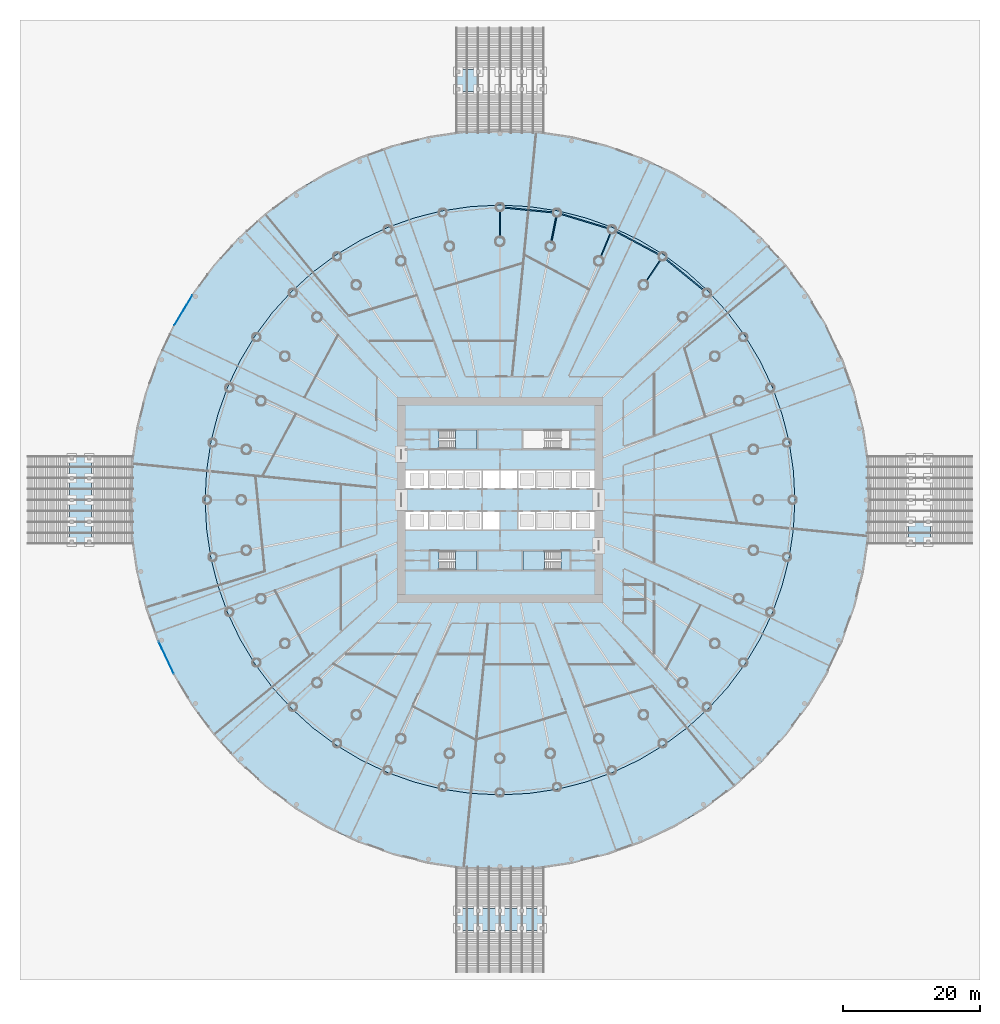
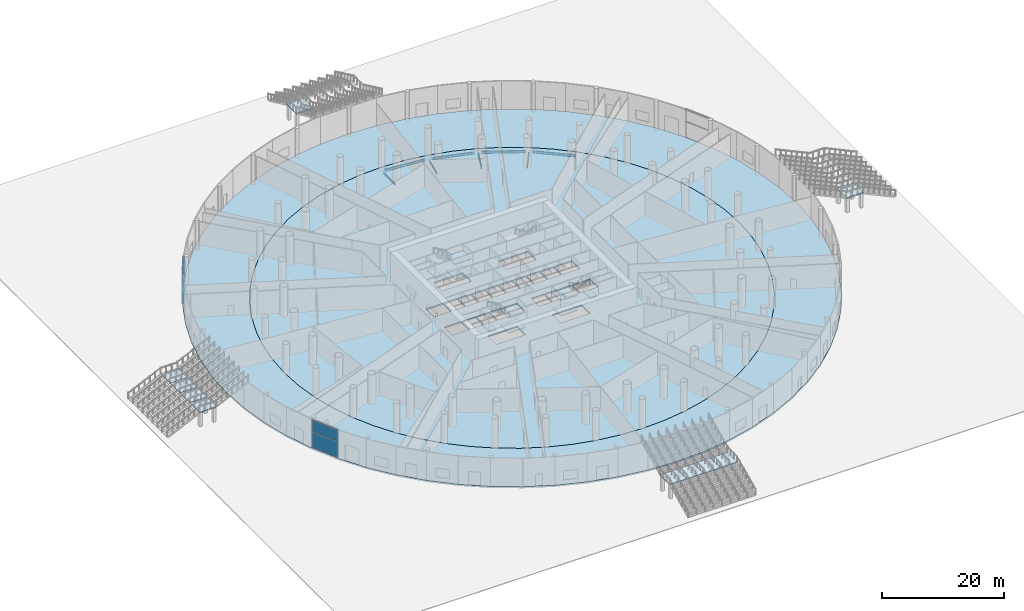
# One storey, part 11 of 33: 21 slabs, 8 beams, 4 plates, 15 elements without a shape of their own.
"""IFC4 building model written with IfcOpenShell, lengths in metres."""

import ifcopenshell
import ifcopenshell.guid

model = None  # the IFC model being written
_history = None  # IfcOwnerHistory: only IFC2X3 demands one
_inside = {}  # id of a spatial element -> (the spatial element, [elements in it])
_under = {}  # id of a project, library or spatial element -> (it, [spatial elements below it])
_declared = {}  # id of a project -> (the project, [libraries it declares])
_typed = {}  # id of a type object -> (the type object, [elements of that type])
_made_of = {}  # id of a material, layer set ... -> (it, [elements and type objects made of it])


def new_model(schema):
    """Start an empty IFC model of exactly this schema.

    Asked for "IFC4X3", IfcOpenShell would pick the latest addendum, in which some entities
    have other attributes; the version numbers below select the first issue.
    IFC2X3 requires an IfcOwnerHistory on every rooted entity: one is made here for all.
    """
    global model, _history
    if schema == "IFC4X3":
        model = ifcopenshell.file(schema_version=(4, 3, 0, 0))
    else:
        model = ifcopenshell.file(schema=schema)
    _inside.clear()
    _under.clear()
    _declared.clear()
    _typed.clear()
    _made_of.clear()
    _history = None
    if model.schema == "IFC2X3":
        org = make("IfcOrganization", Name="unknown")
        user = make(
            "IfcPersonAndOrganization",
            ThePerson=make("IfcPerson", FamilyName="unknown"),
            TheOrganization=org,
        )
        app = make(
            "IfcApplication",
            ApplicationDeveloper=org,
            Version="unknown",
            ApplicationFullName="unknown",
            ApplicationIdentifier="unknown",
        )
        _history = make(
            "IfcOwnerHistory",
            OwningUser=user,
            OwningApplication=app,
            ChangeAction="ADDED",
            CreationDate=0,
        )
    return model


def make(cls, **values):
    """One entity of the class cls with the attributes given. An attribute that is None is left unset."""
    return model.create_entity(
        cls, **{name: value for name, value in values.items() if value is not None}
    )


def rooted(cls, **values):
    """An entity with a GlobalId (a new one), such as an element, a storey or a relation."""
    return make(cls, GlobalId=ifcopenshell.guid.new(), OwnerHistory=_history, **values)


def si_unit(unit_type, name, prefix=None):
    """IfcSIUnit, for example si_unit("LENGTHUNIT", "METRE", prefix="MILLI")."""
    return make("IfcSIUnit", UnitType=unit_type, Prefix=prefix, Name=name)


def assignment(units):
    """IfcUnitAssignment: the units of a project."""
    return None if units is None else make("IfcUnitAssignment", Units=units)


def point(xyz):
    """IfcCartesianPoint."""
    return None if xyz is None else make("IfcCartesianPoint", Coordinates=xyz)


def direction(xyz):
    """IfcDirection."""
    return None if xyz is None else make("IfcDirection", DirectionRatios=xyz)


def frame(location, z_axis=None, x_axis=None):
    """IfcAxis2Placement3D, a coordinate frame: its origin and axes. An axis left out is left unset."""
    return make(
        "IfcAxis2Placement3D",
        Location=point(location),
        Axis=direction(z_axis),
        RefDirection=direction(x_axis),
    )


def frame_2d(location, x_axis=None):
    """IfcAxis2Placement2D, a coordinate frame in the plane: its origin and x axis."""
    return make(
        "IfcAxis2Placement2D", Location=point(location), RefDirection=direction(x_axis)
    )


def origin():
    """The frame at (0, 0, 0) with its axes left unset."""
    return frame((0.0, 0.0, 0.0))


def origin_2d():
    """The frame at (0, 0) in the plane with its x axis left unset."""
    return frame_2d((0.0, 0.0))


def place(relative_to, where):
    """IfcLocalPlacement: puts the frame where relative to a parent placement (None: the world)."""
    return make(
        "IfcLocalPlacement", PlacementRelTo=relative_to, RelativePlacement=where
    )


def context(
    kind, dimensions, precision=None, world=None, true_north=None, identifier=None
):
    """IfcGeometricRepresentationContext, for example the 3D "Model" context."""
    return make(
        "IfcGeometricRepresentationContext",
        ContextIdentifier=identifier,
        ContextType=kind,
        CoordinateSpaceDimension=dimensions,
        Precision=precision,
        WorldCoordinateSystem=world,
        TrueNorth=true_north,
    )


def subcontext(parent, identifier, kind, view, scale=None):
    """IfcGeometricRepresentationSubContext, for example "Body" below "Model"."""
    return make(
        "IfcGeometricRepresentationSubContext",
        ContextIdentifier=identifier,
        ContextType=kind,
        ParentContext=parent,
        TargetScale=scale,
        TargetView=view,
    )


def project(units=None, contexts=None):
    """IfcProject with its units and contexts."""
    return rooted(
        "IfcProject",
        Name="project",
        RepresentationContexts=contexts,
        UnitsInContext=assignment(units),
    )


def spatial(cls, under=None, at=None, **own):
    """A site, building, storey or space (cls), placed at a placement, below another one or the project."""
    s = rooted(cls, ObjectPlacement=at, **own)
    if under is not None:
        _under.setdefault(under.id(), (under, []))[1].append(s)
    return s


def polyline(points):
    """IfcPolyline through the points."""
    return make("IfcPolyline", Points=[point(p) for p in points])


def profile(cls, at=None, kind="AREA", **sizes):
    """A parametric profile (cls). Its sizes go by their IFC names, for example OverallWidth=200.0."""
    return make(cls, ProfileType=kind, Position=at, **sizes)


def rectangle(**sizes):
    """IfcRectangleProfileDef."""
    return profile("IfcRectangleProfileDef", **sizes)


def i_section(**sizes):
    """IfcIShapeProfileDef."""
    return profile("IfcIShapeProfileDef", **sizes)


def outline(outer, holes=None, kind="AREA"):
    """IfcArbitraryClosedProfileDef: a profile drawn as a closed curve; with holes, ...WithVoids."""
    if holes is None:
        return make("IfcArbitraryClosedProfileDef", ProfileType=kind, OuterCurve=outer)
    return make(
        "IfcArbitraryProfileDefWithVoids",
        ProfileType=kind,
        OuterCurve=outer,
        InnerCurves=holes,
    )


def extrude(swept, where, along, depth):
    """IfcExtrudedAreaSolid: the profile swept, set in the frame where, extruded along a direction by depth."""
    return make(
        "IfcExtrudedAreaSolid",
        SweptArea=swept,
        Position=where,
        ExtrudedDirection=direction(along),
        Depth=depth,
    )


def shape(context_of_items, identifier, shape_type, items):
    """IfcShapeRepresentation: the items that make up one representation, for example the "Body"."""
    return make(
        "IfcShapeRepresentation",
        ContextOfItems=context_of_items,
        RepresentationIdentifier=identifier,
        RepresentationType=shape_type,
        Items=items,
    )


def material(Name=None, Category=None):
    """IfcMaterial."""
    return make("IfcMaterial", Name=Name, Category=Category)


def layer(
    of_material, thickness, ventilated=None, Name=None, Category=None, Priority=None
):
    """IfcMaterialLayer: one layer of a wall or slab, of a material (None: an air gap)."""
    return make(
        "IfcMaterialLayer",
        Material=of_material,
        LayerThickness=thickness,
        IsVentilated=ventilated,
        Name=Name,
        Category=Category,
        Priority=Priority,
    )


def layer_set(layers, Name=None):
    """IfcMaterialLayerSet."""
    return make("IfcMaterialLayerSet", MaterialLayers=layers, LayerSetName=Name)


def material_profile(
    of_material, cross_section, Name=None, Category=None, Priority=None
):
    """IfcMaterialProfile: a cross section and its material."""
    return make(
        "IfcMaterialProfile",
        Name=Name,
        Material=of_material,
        Profile=cross_section,
        Priority=Priority,
        Category=Category,
    )


def profile_set(profiles, Name=None, composite=None):
    """IfcMaterialProfileSet."""
    return make(
        "IfcMaterialProfileSet",
        Name=Name,
        MaterialProfiles=profiles,
        CompositeProfile=composite,
    )


def made_of(thing, what):
    """Note that an element or type object is made of a material, layer set ...; save() writes the relation."""
    if what is not None:
        _made_of.setdefault(what.id(), (what, []))[1].append(thing)
    return thing


def type_object(cls, material=None, **own):
    """A type object (cls), such as IfcWallType, which elements share."""
    return made_of(rooted(cls, **own), material)


def element(
    cls,
    number,
    at=None,
    inside=None,
    cuts=None,
    type_object=None,
    material=None,
    context=None,
    identifier="Body",
    shape_type=None,
    held_by="IfcProductDefinitionShape",
    body=None,
    shapes=None,
    **own,
):
    """One element of the class cls, such as IfcWall. Its Tag is "e" and its number.

    at: its placement. inside: the storey or other place that contains it. cuts: it is an
    opening in that element (IfcRelVoidsElement). A single representation is given by context,
    identifier, shape_type and body (its items); several are given by shapes. held_by: the class
    of the entity that holds the representations. save() writes the other relations.
    """
    e = rooted(cls, Tag="e%d" % number, ObjectPlacement=at, **own)
    if body is not None:
        shapes = [shape(context, identifier, shape_type, body)]
    if shapes is not None:
        e.Representation = make(held_by, Representations=shapes)
    if inside is not None:
        _inside.setdefault(inside.id(), (inside, []))[1].append(e)
    if cuts is not None:
        rooted(
            "IfcRelVoidsElement", RelatingBuildingElement=cuts, RelatedOpeningElement=e
        )
    if type_object is not None:
        _typed.setdefault(type_object.id(), (type_object, []))[1].append(e)
    return made_of(e, material)


def aggregate(whole, parts):
    """IfcRelAggregates: a whole, such as a stair, and the parts it consists of."""
    return rooted("IfcRelAggregates", RelatingObject=whole, RelatedObjects=parts)


def save(model, path):
    """Write the relations noted so far, then the file.

    IfcRelAggregates (storeys below a building ...), IfcRelContainedInSpatialStructure (elements
    in a storey), IfcRelDefinesByType, IfcRelAssociatesMaterial and IfcRelDeclares: one each for
    every whole, place, type object, material and project.
    """
    for whole, parts in _under.values():
        aggregate(whole, parts)
    for where, things in _inside.values():
        rooted(
            "IfcRelContainedInSpatialStructure",
            RelatedElements=things,
            RelatingStructure=where,
        )
    for kind, things in _typed.values():
        rooted("IfcRelDefinesByType", RelatedObjects=things, RelatingType=kind)
    for what, things in _made_of.values():
        rooted("IfcRelAssociatesMaterial", RelatedObjects=things, RelatingMaterial=what)
    for by, libraries in _declared.values():
        rooted("IfcRelDeclares", RelatingContext=by, RelatedDefinitions=libraries)
    model.write(path)


model = new_model("IFC4")

# Units and contexts
model_context = context("Model", 3, precision=1e-05, world=origin(), true_north=direction((0.0, 1.0)))
body_context = subcontext(model_context, "Body", "Model", "MODEL_VIEW")
ifc_project = project(units=[si_unit("LENGTHUNIT", "METRE"), si_unit("AREAUNIT", "SQUARE_METRE"), si_unit("VOLUMEUNIT", "CUBIC_METRE"), si_unit("PLANEANGLEUNIT", "RADIAN"), si_unit("MASSUNIT", "GRAM", prefix="KILO")], contexts=[model_context])

# Site, building, storey
site_placement = place(None, origin())
site = spatial("IfcSite", under=ifc_project, at=site_placement, CompositionType="ELEMENT")
building_placement = place(site_placement, origin())
building = spatial("IfcBuilding", under=site, at=building_placement, Name="Corvane Civic Tower", CompositionType="ELEMENT")
storey_placement = place(building_placement, origin())
storey = spatial("IfcBuildingStorey", under=building, at=storey_placement, Name="G", CompositionType="ELEMENT", Elevation=0.0)

# Beams
ifc_material_1 = material(Name="Steel ASTM A992 Gr 50", Category="steel")
ifc_material_profile_1 = material_profile(ifc_material_1, i_section(OverallWidth=0.165771484375, OverallDepth=0.5283203125, WebThickness=0.009765625, FlangeThickness=0.013671875, at=origin_2d()), Name="W21X50")
ifc_profile_set_1 = profile_set([ifc_material_profile_1], Name="Steel ASTM A992 Gr 50")
beam_type_1 = type_object("IfcBeamType", Name="EDGE BEAM W21X50", PredefinedType="BEAM", material=ifc_profile_set_1)
for number, where, z_axis, x_axis, name in (
    (1, (0.54736328125, 42.64599609375, -0.564208984375), (0.995187967953, -0.097984225478, 0.0), (0.097984225478, 0.995187967953, 0.0), "BM-G-E01"),
    (2, (8.856689453125, 41.719970703125, -0.564208984375), (0.956938225664, -0.290291633127, 0.0), (0.290291633127, 0.956938225664, 0.0), "BM-G-E02"),
):
    element("IfcBeam", number, at=place(storey_placement, frame(where, z_axis=z_axis, x_axis=x_axis)), inside=storey, type_object=beam_type_1, Name=name, PredefinedType="BEAM", context=body_context, shape_type="SweptSolid", body=[
        extrude(i_section(OverallWidth=0.165771484375, OverallDepth=0.5283203125, WebThickness=0.009765625, FlangeThickness=0.013671875, at=origin_2d()), origin(), (0.0, 0.0, 1.0), 7.2705078125),
    ])
for number, where, z_axis, x_axis, name in (
    (3, (16.82568359375, 39.1904296875, -0.564208984375), (0.881912894916, -0.471412394598, 0.0), (0.471412394598, 0.881912894916, 0.0), "BM-G-E03"),
    (4, (24.14794921875, 35.15478515625, -0.564208984375), (0.773007924807, -0.634396365205, 0.0), (0.634396365205, 0.773007924807, 0.0), "BM-G-E04"),
):
    element("IfcBeam", number, at=place(storey_placement, frame(where, z_axis=z_axis, x_axis=x_axis)), inside=storey, type_object=beam_type_1, Name=name, PredefinedType="BEAM", context=body_context, shape_type="SweptSolid", body=[
        extrude(i_section(OverallWidth=0.165771484375, OverallDepth=0.5283203125, WebThickness=0.009765625, FlangeThickness=0.013671875, at=origin_2d()), origin(), (0.0, 0.0, 1.0), 7.270751953125),
    ])
ifc_material_2 = material(Name="Steel ASTM A992 Gr 50", Category="steel")
ifc_material_profile_2 = material_profile(ifc_material_2, i_section(OverallWidth=0.140380859375, OverallDepth=0.40380859375, WebThickness=0.007080078125, FlangeThickness=0.01123046875, at=origin_2d()), Name="W16X31")
ifc_profile_set_2 = profile_set([ifc_material_profile_2], Name="Steel ASTM A992 Gr 50")
beam_type_2 = type_object("IfcBeamType", Name="FLOOR GIRDER W16X31", PredefinedType="BEAM", material=ifc_profile_set_2)
for number, where, z_axis, x_axis, name in (
    (5, (0.0, 38.25, -0.501953125), (0.0, 1.0, 0.0), (-1.0, 0.0, 0.0), "BM-G-G01b"),
    (6, (7.462158203125, 37.51513671875, -0.501953125), (0.195128858343, 0.980777614264, 0.0), (-0.980777614264, 0.195128858343, 0.0), "BM-G-G02b"),
    (7, (14.6376953125, 35.33837890625, -0.501953125), (0.382685369162, 0.923878730261, 0.0), (-0.923878730261, 0.382685369162, 0.0), "BM-G-G03b"),
    (8, (21.25048828125, 31.8037109375, -0.501953125), (0.555581110199, 0.831462344301, 0.0), (-0.831462344301, 0.555581110199, 0.0), "BM-G-G04b"),
):
    element("IfcBeam", number, at=place(storey_placement, frame(where, z_axis=z_axis, x_axis=x_axis)), inside=storey, type_object=beam_type_2, Name=name, PredefinedType="BEAM", context=body_context, shape_type="SweptSolid", body=[
        extrude(i_section(OverallWidth=0.140380859375, OverallDepth=0.40380859375, WebThickness=0.007080078125, FlangeThickness=0.01123046875, at=origin_2d()), origin(), (0.0, 0.0, 1.0), 3.89990234375),
    ])

# Slabs
ifc_material_3 = material(Name="Concrete C40/50", Category="concrete")
ifc_layer_1 = layer(ifc_material_3, 0.300048828125)
ifc_layer_set_1 = layer_set([ifc_layer_1], Name="Concrete C40/50")
slab_type_1 = type_object("IfcSlabType", Name="FLOOR SLAB 300", PredefinedType="FLOOR", material=ifc_layer_set_1)
slab_1_placement = place(storey_placement, frame((0.0, 0.0, -0.300048828125)))
element("IfcSlab", 9, at=slab_1_placement, inside=storey, type_object=slab_type_1, Name="SLB-G", PredefinedType="FLOOR", context=body_context, shape_type="SweptSolid", body=[
    extrude(outline(polyline([(0.0, 43.0), (-4.21484375, 42.79296875), (-8.388916015625, 42.173828125), (-12.482177734375, 41.1484375), (-16.455322265625, 39.726806640625), (-20.27001953125, 37.922607421875), (-23.889404296875, 35.753173828125), (-27.27880859375, 33.239501953125), (-30.405517578125, 30.405517578125), (-33.239501953125, 27.27880859375), (-35.753173828125, 23.889404296875), (-37.922607421875, 20.27001953125), (-39.726806640625, 16.455322265625), (-41.1484375, 12.482177734375), (-42.173828125, 8.388916015625), (-42.79296875, 4.21484375), (-43.0, 0.0), (-42.79296875, -4.21484375), (-42.173828125, -8.388916015625), (-41.1484375, -12.482177734375), (-39.726806640625, -16.455322265625), (-37.922607421875, -20.27001953125), (-35.753173828125, -23.889404296875), (-33.239501953125, -27.27880859375), (-30.405517578125, -30.405517578125), (-27.27880859375, -33.239501953125), (-23.889404296875, -35.753173828125), (-20.27001953125, -37.922607421875), (-16.455322265625, -39.726806640625), (-12.482177734375, -41.1484375), (-8.388916015625, -42.173828125), (-4.21484375, -42.79296875), (0.0, -43.0), (4.21484375, -42.79296875), (8.388916015625, -42.173828125), (12.482177734375, -41.1484375), (16.455322265625, -39.726806640625), (20.27001953125, -37.922607421875), (23.889404296875, -35.753173828125), (27.27880859375, -33.239501953125), (30.405517578125, -30.405517578125), (33.239501953125, -27.27880859375), (35.753173828125, -23.889404296875), (37.922607421875, -20.27001953125), (39.726806640625, -16.455322265625), (41.1484375, -12.482177734375), (42.173828125, -8.388916015625), (42.79296875, -4.21484375), (43.0, 0.0), (42.79296875, 4.21484375), (42.173828125, 8.388916015625), (41.1484375, 12.482177734375), (39.726806640625, 16.455322265625), (37.922607421875, 20.27001953125), (35.753173828125, 23.889404296875), (33.239501953125, 27.27880859375), (30.405517578125, 30.405517578125), (27.27880859375, 33.239501953125), (23.889404296875, 35.753173828125), (20.27001953125, 37.922607421875), (16.455322265625, 39.726806640625), (12.482177734375, 41.1484375), (8.388916015625, 42.173828125), (4.21484375, 42.79296875), (0.0, 43.0)]), holes=[polyline([(-13.800048828125, 4.300048828125), (-10.5, 4.300048828125), (-10.5, 1.699951171875), (-13.800048828125, 1.699951171875), (-13.800048828125, 4.300048828125)]), polyline([(-7.89990234375, 1.699951171875), (-10.300048828125, 1.699951171875), (-10.300048828125, 4.300048828125), (-7.89990234375, 4.300048828125), (-7.89990234375, 1.699951171875)]), polyline([(-7.699951171875, 4.300048828125), (-5.300048828125, 4.300048828125), (-5.300048828125, 1.699951171875), (-7.699951171875, 1.699951171875), (-7.699951171875, 4.300048828125)]), polyline([(-5.10009765625, 4.300048828125), (-2.699951171875, 4.300048828125), (-2.699951171875, 1.699951171875), (-5.10009765625, 1.699951171875), (-5.10009765625, 4.300048828125)]), polyline([(-0.10009765625, 1.699951171875), (-2.5, 1.699951171875), (-2.5, 4.300048828125), (-0.10009765625, 4.300048828125), (-0.10009765625, 1.699951171875)]), polyline([(2.5, 1.699951171875), (0.10009765625, 1.699951171875), (0.10009765625, 4.300048828125), (2.5, 4.300048828125), (2.5, 1.699951171875)]), polyline([(5.10009765625, 1.699951171875), (2.699951171875, 1.699951171875), (2.699951171875, 4.300048828125), (5.10009765625, 4.300048828125), (5.10009765625, 1.699951171875)]), polyline([(5.300048828125, 4.300048828125), (7.699951171875, 4.300048828125), (7.699951171875, 1.699951171875), (5.300048828125, 1.699951171875), (5.300048828125, 4.300048828125)]), polyline([(7.89990234375, 4.300048828125), (10.300048828125, 4.300048828125), (10.300048828125, 1.699951171875), (7.89990234375, 1.699951171875), (7.89990234375, 4.300048828125)]), polyline([(13.800048828125, 1.699951171875), (10.5, 1.699951171875), (10.5, 4.300048828125), (13.800048828125, 4.300048828125), (13.800048828125, 1.699951171875)]), polyline([(-13.800048828125, -1.699951171875), (-10.5, -1.699951171875), (-10.5, -4.300048828125), (-13.800048828125, -4.300048828125), (-13.800048828125, -1.699951171875)]), polyline([(-7.89990234375, -1.699951171875), (-7.89990234375, -4.300048828125), (-10.300048828125, -4.300048828125), (-10.300048828125, -1.699951171875), (-7.89990234375, -1.699951171875)]), polyline([(-5.300048828125, -1.699951171875), (-5.300048828125, -4.300048828125), (-7.699951171875, -4.300048828125), (-7.699951171875, -1.699951171875), (-5.300048828125, -1.699951171875)]), polyline([(-2.699951171875, -1.699951171875), (-2.699951171875, -4.300048828125), (-5.10009765625, -4.300048828125), (-5.10009765625, -1.699951171875), (-2.699951171875, -1.699951171875)]), polyline([(-2.5, -4.300048828125), (-2.5, -1.699951171875), (-0.10009765625, -1.699951171875), (-0.10009765625, -4.300048828125), (-2.5, -4.300048828125)]), polyline([(5.10009765625, -1.699951171875), (5.10009765625, -4.300048828125), (2.699951171875, -4.300048828125), (2.699951171875, -1.699951171875), (5.10009765625, -1.699951171875)]), polyline([(7.699951171875, -1.699951171875), (7.699951171875, -4.300048828125), (5.300048828125, -4.300048828125), (5.300048828125, -1.699951171875), (7.699951171875, -1.699951171875)]), polyline([(10.300048828125, -1.699951171875), (10.300048828125, -4.300048828125), (7.89990234375, -4.300048828125), (7.89990234375, -1.699951171875), (10.300048828125, -1.699951171875)]), polyline([(13.800048828125, -4.300048828125), (10.5, -4.300048828125), (10.5, -1.699951171875), (13.800048828125, -1.699951171875), (13.800048828125, -4.300048828125)]), polyline([(8.889892578125, 10.199951171875), (8.889892578125, 7.449951171875), (3.35009765625, 7.449951171875), (3.35009765625, 10.199951171875), (8.889892578125, 10.199951171875)]), polyline([(-8.889892578125, 7.449951171875), (-8.889892578125, 10.199951171875), (-3.35009765625, 10.199951171875), (-3.35009765625, 7.449951171875), (-8.889892578125, 7.449951171875)]), polyline([(8.889892578125, -7.449951171875), (8.889892578125, -10.199951171875), (3.35009765625, -10.199951171875), (3.35009765625, -7.449951171875), (8.889892578125, -7.449951171875)]), polyline([(-8.889892578125, -10.199951171875), (-8.889892578125, -7.449951171875), (-3.35009765625, -7.449951171875), (-3.35009765625, -10.199951171875), (-8.889892578125, -10.199951171875)])]), origin(), (0.0, 0.0, 1.0), 0.300048828125),
])
ifc_material_4 = material(Name="Concrete C40/50", Category="concrete")
ifc_layer_2 = layer(ifc_material_4, 0.300048828125)
ifc_layer_set_2 = layer_set([ifc_layer_2], Name="Concrete C40/50")
slab_type_2 = type_object("IfcSlabType", Name="GROUND SLAB 300", PredefinedType="BASESLAB", material=ifc_layer_set_2)
slab_2_placement = place(storey_placement, frame((0.0, 0.0, -0.300048828125)))
element("IfcSlab", 10, at=slab_2_placement, inside=storey, type_object=slab_type_2, Name="SLB-G-ground", PredefinedType="BASESLAB", context=body_context, shape_type="SweptSolid", body=[
    extrude(outline(polyline([(0.0, 54.0), (-5.29296875, 53.739990234375), (-10.534912109375, 52.96240234375), (-15.67529296875, 51.6748046875), (-20.664794921875, 49.889404296875), (-25.455322265625, 47.623779296875), (-30.000732421875, 44.8994140625), (-34.25732421875, 41.74267578125), (-38.183837890625, 38.183837890625), (-41.74267578125, 34.25732421875), (-44.8994140625, 30.000732421875), (-47.623779296875, 25.455322265625), (-49.889404296875, 20.664794921875), (-51.6748046875, 15.67529296875), (-52.96240234375, 10.534912109375), (-53.739990234375, 5.29296875), (-54.0, 0.0), (-53.739990234375, -5.29296875), (-52.96240234375, -10.534912109375), (-51.6748046875, -15.67529296875), (-49.889404296875, -20.664794921875), (-47.623779296875, -25.455322265625), (-44.8994140625, -30.000732421875), (-41.74267578125, -34.25732421875), (-38.183837890625, -38.183837890625), (-34.25732421875, -41.74267578125), (-30.000732421875, -44.8994140625), (-25.455322265625, -47.623779296875), (-20.664794921875, -49.889404296875), (-15.67529296875, -51.6748046875), (-10.534912109375, -52.96240234375), (-5.29296875, -53.739990234375), (0.0, -54.0), (5.29296875, -53.739990234375), (10.534912109375, -52.96240234375), (15.67529296875, -51.6748046875), (20.664794921875, -49.889404296875), (25.455322265625, -47.623779296875), (30.000732421875, -44.8994140625), (34.25732421875, -41.74267578125), (38.183837890625, -38.183837890625), (41.74267578125, -34.25732421875), (44.8994140625, -30.000732421875), (47.623779296875, -25.455322265625), (49.889404296875, -20.664794921875), (51.6748046875, -15.67529296875), (52.96240234375, -10.534912109375), (53.739990234375, -5.29296875), (54.0, 0.0), (53.739990234375, 5.29296875), (52.96240234375, 10.534912109375), (51.6748046875, 15.67529296875), (49.889404296875, 20.664794921875), (47.623779296875, 25.455322265625), (44.8994140625, 30.000732421875), (41.74267578125, 34.25732421875), (38.183837890625, 38.183837890625), (34.25732421875, 41.74267578125), (30.000732421875, 44.8994140625), (25.455322265625, 47.623779296875), (20.664794921875, 49.889404296875), (15.67529296875, 51.6748046875), (10.534912109375, 52.96240234375), (5.29296875, 53.739990234375), (0.0, 54.0)]), holes=[polyline([(0.0, 43.0), (-4.21484375, 42.79296875), (-8.388916015625, 42.173828125), (-12.482177734375, 41.1484375), (-16.455322265625, 39.726806640625), (-20.27001953125, 37.922607421875), (-23.889404296875, 35.753173828125), (-27.27880859375, 33.239501953125), (-30.405517578125, 30.405517578125), (-33.239501953125, 27.27880859375), (-35.753173828125, 23.889404296875), (-37.922607421875, 20.27001953125), (-39.726806640625, 16.455322265625), (-41.1484375, 12.482177734375), (-42.173828125, 8.388916015625), (-42.79296875, 4.21484375), (-43.0, 0.0), (-42.79296875, -4.21484375), (-42.173828125, -8.388916015625), (-41.1484375, -12.482177734375), (-39.726806640625, -16.455322265625), (-37.922607421875, -20.27001953125), (-35.753173828125, -23.889404296875), (-33.239501953125, -27.27880859375), (-30.405517578125, -30.405517578125), (-27.27880859375, -33.239501953125), (-23.889404296875, -35.753173828125), (-20.27001953125, -37.922607421875), (-16.455322265625, -39.726806640625), (-12.482177734375, -41.1484375), (-8.388916015625, -42.173828125), (-4.21484375, -42.79296875), (0.0, -43.0), (4.21484375, -42.79296875), (8.388916015625, -42.173828125), (12.482177734375, -41.1484375), (16.455322265625, -39.726806640625), (20.27001953125, -37.922607421875), (23.889404296875, -35.753173828125), (27.27880859375, -33.239501953125), (30.405517578125, -30.405517578125), (33.239501953125, -27.27880859375), (35.753173828125, -23.889404296875), (37.922607421875, -20.27001953125), (39.726806640625, -16.455322265625), (41.1484375, -12.482177734375), (42.173828125, -8.388916015625), (42.79296875, -4.21484375), (43.0, 0.0), (42.79296875, 4.21484375), (42.173828125, 8.388916015625), (41.1484375, 12.482177734375), (39.726806640625, 16.455322265625), (37.922607421875, 20.27001953125), (35.753173828125, 23.889404296875), (33.239501953125, 27.27880859375), (30.405517578125, 30.405517578125), (27.27880859375, 33.239501953125), (23.889404296875, 35.753173828125), (20.27001953125, 37.922607421875), (16.455322265625, 39.726806640625), (12.482177734375, 41.1484375), (8.388916015625, 42.173828125), (4.21484375, 42.79296875), (0.0, 43.0)])]), origin(), (0.0, 0.0, 1.0), 0.300048828125),
])

# Curtain wall, plates
ifc_material_5 = material(Name="Aluminium and glass", Category="aluminium")
curtain_wall_type = type_object("IfcCurtainWallType", Name="PODIUM-CW-L-RUN", PredefinedType="NOTDEFINED", material=ifc_material_5)
curtain_wall_1_placement = place(storey_placement, origin())
curtain_wall_1 = element("IfcCurtainWall", 11, at=curtain_wall_1_placement, inside=storey, type_object=curtain_wall_type, Name="PODI run G-plinth-22B", PredefinedType="NOTDEFINED")
ifc_material_6 = material(Name="Glass tinted low-e laminated", Category="glass")
ifc_layer_3 = layer(ifc_material_6, 0.0400390625)
ifc_layer_set_3 = layer_set([ifc_layer_3], Name="Glass tinted low-e laminated")
plate_type = type_object("IfcPlateType", Name="PODIUM-CWL-PANEL-IGU40", PredefinedType="CURTAIN_PANEL", material=ifc_layer_set_3)
plate_1_placement = place(storey_placement, frame((-48.666259765625, -23.017333984375, 0.080078125), z_axis=(0.0, 0.0, 1.0), x_axis=(-0.427545190932, 0.90399397659, 0.0)))
plate_1 = element("IfcPlate", 12, at=plate_1_placement, type_object=plate_type, Name="CW-L panel 1.1", PredefinedType="CURTAIN_PANEL", context=body_context, shape_type="SweptSolid", body=[
    extrude(rectangle(XDim=5.099365234375, YDim=0.0400390625, at=origin_2d()), origin(), (0.0, 0.0, 1.0), 3.179931640625),
])
plate_2_placement = place(storey_placement, frame((-48.666259765625, -23.017333984375, 3.33984375), z_axis=(0.0, 0.0, 1.0), x_axis=(-0.427545190932, 0.90399397659, 0.0)))
plate_2 = element("IfcPlate", 13, at=plate_2_placement, type_object=plate_type, Name="CW-L panel 1.2", PredefinedType="CURTAIN_PANEL", context=body_context, shape_type="SweptSolid", body=[
    extrude(rectangle(XDim=5.099365234375, YDim=0.0400390625, at=origin_2d()), origin(), (0.0, 0.0, 1.0), 2.280029296875),
])
aggregate(curtain_wall_1, [plate_1, plate_2])

curtain_wall_2_placement = place(storey_placement, origin())
curtain_wall_2 = element("IfcCurtainWall", 14, at=curtain_wall_2_placement, inside=storey, type_object=curtain_wall_type, Name="PODI run G-plinth-27B", PredefinedType="NOTDEFINED")
plate_3_placement = place(storey_placement, frame((-46.17578125, 27.6767578125, 0.080078125), z_axis=(0.0, 0.0, 1.0), x_axis=(0.514095849896, 0.857732742245, 0.0)))
plate_3 = element("IfcPlate", 15, at=plate_3_placement, type_object=plate_type, Name="CW-L panel 1.1", PredefinedType="CURTAIN_PANEL", context=body_context, shape_type="SweptSolid", body=[
    extrude(rectangle(XDim=5.099365234375, YDim=0.0400390625, at=origin_2d()), origin(), (0.0, 0.0, 1.0), 3.179931640625),
])
plate_4_placement = place(storey_placement, frame((-46.17578125, 27.6767578125, 3.33984375), z_axis=(0.0, 0.0, 1.0), x_axis=(0.514095849896, 0.857732742245, 0.0)))
plate_4 = element("IfcPlate", 16, at=plate_4_placement, type_object=plate_type, Name="CW-L panel 1.2", PredefinedType="CURTAIN_PANEL", context=body_context, shape_type="SweptSolid", body=[
    extrude(rectangle(XDim=5.099365234375, YDim=0.0400390625, at=origin_2d()), origin(), (0.0, 0.0, 1.0), 2.280029296875),
])
aggregate(curtain_wall_2, [plate_3, plate_4])

# Stair, slab
ifc_material_7 = material(Name="Concrete C40/50", Category="concrete")
stair_type_1 = type_object("IfcStairType", Name="PODIUM-ST-BROAD-EXT", PredefinedType="USERDEFINED", material=ifc_material_7)
stair_1_placement = place(storey_placement, origin())
stair_1 = element("IfcStair", 17, at=stair_1_placement, inside=storey, type_object=stair_type_1, Name="Broad exterior stair north run D", ObjectType="BROAD STEPS", PredefinedType="USERDEFINED")
ifc_material_8 = material(Name="Concrete C40/50", Category="concrete")
ifc_layer_4 = layer(ifc_material_8, 0.25)
ifc_layer_set_4 = layer_set([ifc_layer_4], Name="Concrete C40/50")
slab_type_3 = type_object("IfcSlabType", Name="PODIUM-SL-LANDING-250", PredefinedType="LANDING", material=ifc_layer_set_4)
slab_3_placement = place(storey_placement, frame((0.0, 0.0, 2.75)))
slab_3 = element("IfcSlab", 18, at=slab_3_placement, type_object=slab_type_3, Name="BS1-D landing 1", PredefinedType="LANDING", context=body_context, shape_type="SweptSolid", body=[
    extrude(outline(polyline([(-3.199951171875, 59.580078125), (-6.39990234375, 59.580078125), (-6.39990234375, 62.780029296875), (-3.199951171875, 62.780029296875), (-3.199951171875, 59.580078125)])), origin(), (0.0, 0.0, 1.0), 0.25),
])
aggregate(stair_1, [slab_3])

stair_2_placement = place(storey_placement, origin())
stair_2 = element("IfcStair", 19, at=stair_2_placement, inside=storey, type_object=stair_type_1, Name="Broad exterior stair east run A", ObjectType="BROAD STEPS", PredefinedType="USERDEFINED")
slab_4_placement = place(storey_placement, frame((0.0, 0.0, 2.75)))
slab_4 = element("IfcSlab", 20, at=slab_4_placement, type_object=slab_type_3, Name="BS2-A landing 1", PredefinedType="LANDING", context=body_context, shape_type="SweptSolid", body=[
    extrude(outline(polyline([(59.580078125, -6.39990234375), (59.580078125, -3.199951171875), (62.780029296875, -3.199951171875), (62.780029296875, -6.39990234375), (59.580078125, -6.39990234375)])), origin(), (0.0, 0.0, 1.0), 0.25),
])
aggregate(stair_2, [slab_4])

stair_3_placement = place(storey_placement, origin())
stair_3 = element("IfcStair", 21, at=stair_3_placement, inside=storey, type_object=stair_type_1, Name="Broad exterior stair south run A", ObjectType="BROAD STEPS", PredefinedType="USERDEFINED")
slab_5_placement = place(storey_placement, frame((0.0, 0.0, 2.75)))
slab_5 = element("IfcSlab", 22, at=slab_5_placement, type_object=slab_type_3, Name="BS3-A landing 1", PredefinedType="LANDING", context=body_context, shape_type="SweptSolid", body=[
    extrude(outline(polyline([(-6.39990234375, -59.580078125), (-3.199951171875, -59.580078125), (-3.199951171875, -62.780029296875), (-6.39990234375, -62.780029296875), (-6.39990234375, -59.580078125)])), origin(), (0.0, 0.0, 1.0), 0.25),
])
aggregate(stair_3, [slab_5])

stair_4_placement = place(storey_placement, origin())
stair_4 = element("IfcStair", 23, at=stair_4_placement, inside=storey, type_object=stair_type_1, Name="Broad exterior stair south run B", ObjectType="BROAD STEPS", PredefinedType="USERDEFINED")
slab_6_placement = place(storey_placement, frame((0.0, 0.0, 2.75)))
slab_6 = element("IfcSlab", 24, at=slab_6_placement, type_object=slab_type_3, Name="BS3-B landing 1", PredefinedType="LANDING", context=body_context, shape_type="SweptSolid", body=[
    extrude(outline(polyline([(-3.199951171875, -59.580078125), (0.0, -59.580078125), (0.0, -62.780029296875), (-3.199951171875, -62.780029296875), (-3.199951171875, -59.580078125)])), origin(), (0.0, 0.0, 1.0), 0.25),
])
aggregate(stair_4, [slab_6])

stair_5_placement = place(storey_placement, origin())
stair_5 = element("IfcStair", 25, at=stair_5_placement, inside=storey, type_object=stair_type_1, Name="Broad exterior stair south run C", ObjectType="BROAD STEPS", PredefinedType="USERDEFINED")
slab_7_placement = place(storey_placement, frame((0.0, 0.0, 2.75)))
slab_7 = element("IfcSlab", 26, at=slab_7_placement, type_object=slab_type_3, Name="BS3-C landing 1", PredefinedType="LANDING", context=body_context, shape_type="SweptSolid", body=[
    extrude(outline(polyline([(0.0, -59.580078125), (3.199951171875, -59.580078125), (3.199951171875, -62.780029296875), (0.0, -62.780029296875), (0.0, -59.580078125)])), origin(), (0.0, 0.0, 1.0), 0.25),
])
aggregate(stair_5, [slab_7])

stair_6_placement = place(storey_placement, origin())
stair_6 = element("IfcStair", 27, at=stair_6_placement, inside=storey, type_object=stair_type_1, Name="Broad exterior stair south run D", ObjectType="BROAD STEPS", PredefinedType="USERDEFINED")
slab_8_placement = place(storey_placement, frame((0.0, 0.0, 2.75)))
slab_8 = element("IfcSlab", 28, at=slab_8_placement, type_object=slab_type_3, Name="BS3-D landing 1", PredefinedType="LANDING", context=body_context, shape_type="SweptSolid", body=[
    extrude(outline(polyline([(3.199951171875, -59.580078125), (6.39990234375, -59.580078125), (6.39990234375, -62.780029296875), (3.199951171875, -62.780029296875), (3.199951171875, -59.580078125)])), origin(), (0.0, 0.0, 1.0), 0.25),
])
aggregate(stair_6, [slab_8])

stair_7_placement = place(storey_placement, origin())
stair_7 = element("IfcStair", 29, at=stair_7_placement, inside=storey, type_object=stair_type_1, Name="Broad exterior stair west run A", ObjectType="BROAD STEPS", PredefinedType="USERDEFINED")
slab_9_placement = place(storey_placement, frame((0.0, 0.0, 2.75)))
slab_9 = element("IfcSlab", 30, at=slab_9_placement, type_object=slab_type_3, Name="BS4-A landing 1", PredefinedType="LANDING", context=body_context, shape_type="SweptSolid", body=[
    extrude(outline(polyline([(-59.580078125, 6.39990234375), (-59.580078125, 3.199951171875), (-62.780029296875, 3.199951171875), (-62.780029296875, 6.39990234375), (-59.580078125, 6.39990234375)])), origin(), (0.0, 0.0, 1.0), 0.25),
])
aggregate(stair_7, [slab_9])

stair_8_placement = place(storey_placement, origin())
stair_8 = element("IfcStair", 31, at=stair_8_placement, inside=storey, type_object=stair_type_1, Name="Broad exterior stair west run B", ObjectType="BROAD STEPS", PredefinedType="USERDEFINED")
slab_10_placement = place(storey_placement, frame((0.0, 0.0, 2.75)))
slab_10 = element("IfcSlab", 32, at=slab_10_placement, type_object=slab_type_3, Name="BS4-B landing 1", PredefinedType="LANDING", context=body_context, shape_type="SweptSolid", body=[
    extrude(outline(polyline([(-59.580078125, 3.199951171875), (-59.580078125, 0.0), (-62.780029296875, 0.0), (-62.780029296875, 3.199951171875), (-59.580078125, 3.199951171875)])), origin(), (0.0, 0.0, 1.0), 0.25),
])
aggregate(stair_8, [slab_10])

stair_9_placement = place(storey_placement, origin())
stair_9 = element("IfcStair", 33, at=stair_9_placement, inside=storey, type_object=stair_type_1, Name="Broad exterior stair west run C", ObjectType="BROAD STEPS", PredefinedType="USERDEFINED")
slab_11_placement = place(storey_placement, frame((0.0, 0.0, 2.75)))
slab_11 = element("IfcSlab", 34, at=slab_11_placement, type_object=slab_type_3, Name="BS4-C landing 1", PredefinedType="LANDING", context=body_context, shape_type="SweptSolid", body=[
    extrude(outline(polyline([(-59.580078125, 0.0), (-59.580078125, -3.199951171875), (-62.780029296875, -3.199951171875), (-62.780029296875, 0.0), (-59.580078125, 0.0)])), origin(), (0.0, 0.0, 1.0), 0.25),
])
aggregate(stair_9, [slab_11])

stair_10_placement = place(storey_placement, origin())
stair_10 = element("IfcStair", 35, at=stair_10_placement, inside=storey, type_object=stair_type_1, Name="Broad exterior stair west run D", ObjectType="BROAD STEPS", PredefinedType="USERDEFINED")
slab_12_placement = place(storey_placement, frame((0.0, 0.0, 2.75)))
slab_12 = element("IfcSlab", 36, at=slab_12_placement, type_object=slab_type_3, Name="BS4-D landing 1", PredefinedType="LANDING", context=body_context, shape_type="SweptSolid", body=[
    extrude(outline(polyline([(-59.580078125, -3.199951171875), (-59.580078125, -6.39990234375), (-62.780029296875, -6.39990234375), (-62.780029296875, -3.199951171875), (-59.580078125, -3.199951171875)])), origin(), (0.0, 0.0, 1.0), 0.25),
])
aggregate(stair_10, [slab_12])

# Stair, slabs
ifc_material_9 = material(Name="Concrete C40/50", Category="concrete")
stair_type_2 = type_object("IfcStairType", Name="ST-STAIR-HALFTURN", PredefinedType="HALF_TURN_STAIR", material=ifc_material_9)
stair_11_placement = place(storey_placement, origin())
stair_11 = element("IfcStair", 37, at=stair_11_placement, inside=storey, type_object=stair_type_2, Name="G Exit stair ST2", PredefinedType="HALF_TURN_STAIR")
ifc_material_10 = material(Name="Concrete C40/50", Category="concrete")
ifc_layer_5 = layer(ifc_material_10, 0.199951171875)
ifc_layer_set_5 = layer_set([ifc_layer_5], Name="Concrete C40/50")
slab_type_4 = type_object("IfcSlabType", Name="ST-LANDING-RC", PredefinedType="LANDING", material=ifc_layer_set_5)
slab_13_placement = place(storey_placement, frame((0.0, 0.0, 1.300048828125)))
slab_13 = element("IfcSlab", 38, at=slab_13_placement, type_object=slab_type_4, Name="ST2 landing 1", PredefinedType="LANDING", context=body_context, shape_type="SweptSolid", body=[
    extrude(outline(polyline([(6.5, -7.449951171875), (3.35009765625, -7.449951171875), (3.35009765625, -10.199951171875), (6.5, -10.199951171875), (6.5, -7.449951171875)])), origin(), (0.0, 0.0, 1.0), 0.199951171875),
])
slab_14_placement = place(storey_placement, frame((0.0, 0.0, 2.800048828125)))
slab_14 = element("IfcSlab", 39, at=slab_14_placement, type_object=slab_type_4, Name="ST2 landing 2", PredefinedType="LANDING", context=body_context, shape_type="SweptSolid", body=[
    extrude(outline(polyline([(10.199951171875, -7.449951171875), (8.89990234375, -7.449951171875), (8.89990234375, -10.199951171875), (10.199951171875, -10.199951171875), (10.199951171875, -7.449951171875)])), origin(), (0.0, 0.0, 1.0), 0.199951171875),
])
slab_15_placement = place(storey_placement, frame((0.0, 0.0, 4.300048828125)))
slab_15 = element("IfcSlab", 40, at=slab_15_placement, type_object=slab_type_4, Name="ST2 landing 3", PredefinedType="LANDING", context=body_context, shape_type="SweptSolid", body=[
    extrude(outline(polyline([(6.5, -7.449951171875), (3.35009765625, -7.449951171875), (3.35009765625, -10.199951171875), (6.5, -10.199951171875), (6.5, -7.449951171875)])), origin(), (0.0, 0.0, 1.0), 0.199951171875),
])
aggregate(stair_11, [slab_13, slab_14, slab_15])

stair_12_placement = place(storey_placement, origin())
stair_12 = element("IfcStair", 41, at=stair_12_placement, inside=storey, type_object=stair_type_2, Name="G Exit stair ST3", PredefinedType="HALF_TURN_STAIR")
slab_16_placement = place(storey_placement, frame((0.0, 0.0, 1.300048828125)))
slab_16 = element("IfcSlab", 42, at=slab_16_placement, type_object=slab_type_4, Name="ST3 landing 1", PredefinedType="LANDING", context=body_context, shape_type="SweptSolid", body=[
    extrude(outline(polyline([(-6.5, -10.199951171875), (-3.35009765625, -10.199951171875), (-3.35009765625, -7.449951171875), (-6.5, -7.449951171875), (-6.5, -10.199951171875)])), origin(), (0.0, 0.0, 1.0), 0.199951171875),
])
slab_17_placement = place(storey_placement, frame((0.0, 0.0, 2.800048828125)))
slab_17 = element("IfcSlab", 43, at=slab_17_placement, type_object=slab_type_4, Name="ST3 landing 2", PredefinedType="LANDING", context=body_context, shape_type="SweptSolid", body=[
    extrude(outline(polyline([(-10.199951171875, -10.199951171875), (-8.89990234375, -10.199951171875), (-8.89990234375, -7.449951171875), (-10.199951171875, -7.449951171875), (-10.199951171875, -10.199951171875)])), origin(), (0.0, 0.0, 1.0), 0.199951171875),
])
slab_18_placement = place(storey_placement, frame((0.0, 0.0, 4.300048828125)))
slab_18 = element("IfcSlab", 44, at=slab_18_placement, type_object=slab_type_4, Name="ST3 landing 3", PredefinedType="LANDING", context=body_context, shape_type="SweptSolid", body=[
    extrude(outline(polyline([(-6.5, -10.199951171875), (-3.35009765625, -10.199951171875), (-3.35009765625, -7.449951171875), (-6.5, -7.449951171875), (-6.5, -10.199951171875)])), origin(), (0.0, 0.0, 1.0), 0.199951171875),
])
aggregate(stair_12, [slab_16, slab_17, slab_18])

stair_13_placement = place(storey_placement, origin())
stair_13 = element("IfcStair", 45, at=stair_13_placement, inside=storey, type_object=stair_type_2, Name="G Exit stair ST4", PredefinedType="HALF_TURN_STAIR")
slab_19_placement = place(storey_placement, frame((0.0, 0.0, 1.300048828125)))
slab_19 = element("IfcSlab", 46, at=slab_19_placement, type_object=slab_type_4, Name="ST4 landing 1", PredefinedType="LANDING", context=body_context, shape_type="SweptSolid", body=[
    extrude(outline(polyline([(-6.5, 7.449951171875), (-3.35009765625, 7.449951171875), (-3.35009765625, 10.199951171875), (-6.5, 10.199951171875), (-6.5, 7.449951171875)])), origin(), (0.0, 0.0, 1.0), 0.199951171875),
])
slab_20_placement = place(storey_placement, frame((0.0, 0.0, 2.800048828125)))
slab_20 = element("IfcSlab", 47, at=slab_20_placement, type_object=slab_type_4, Name="ST4 landing 2", PredefinedType="LANDING", context=body_context, shape_type="SweptSolid", body=[
    extrude(outline(polyline([(-10.199951171875, 7.449951171875), (-8.89990234375, 7.449951171875), (-8.89990234375, 10.199951171875), (-10.199951171875, 10.199951171875), (-10.199951171875, 7.449951171875)])), origin(), (0.0, 0.0, 1.0), 0.199951171875),
])
slab_21_placement = place(storey_placement, frame((0.0, 0.0, 4.300048828125)))
slab_21 = element("IfcSlab", 48, at=slab_21_placement, type_object=slab_type_4, Name="ST4 landing 3", PredefinedType="LANDING", context=body_context, shape_type="SweptSolid", body=[
    extrude(outline(polyline([(-6.5, 7.449951171875), (-3.35009765625, 7.449951171875), (-3.35009765625, 10.199951171875), (-6.5, 10.199951171875), (-6.5, 7.449951171875)])), origin(), (0.0, 0.0, 1.0), 0.199951171875),
])
aggregate(stair_13, [slab_19, slab_20, slab_21])

save(model, "model.ifc")
